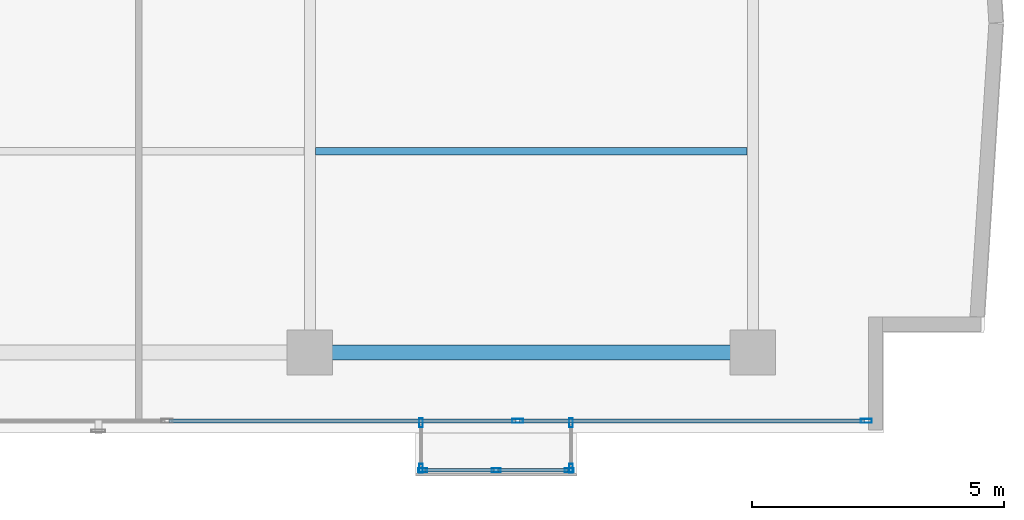
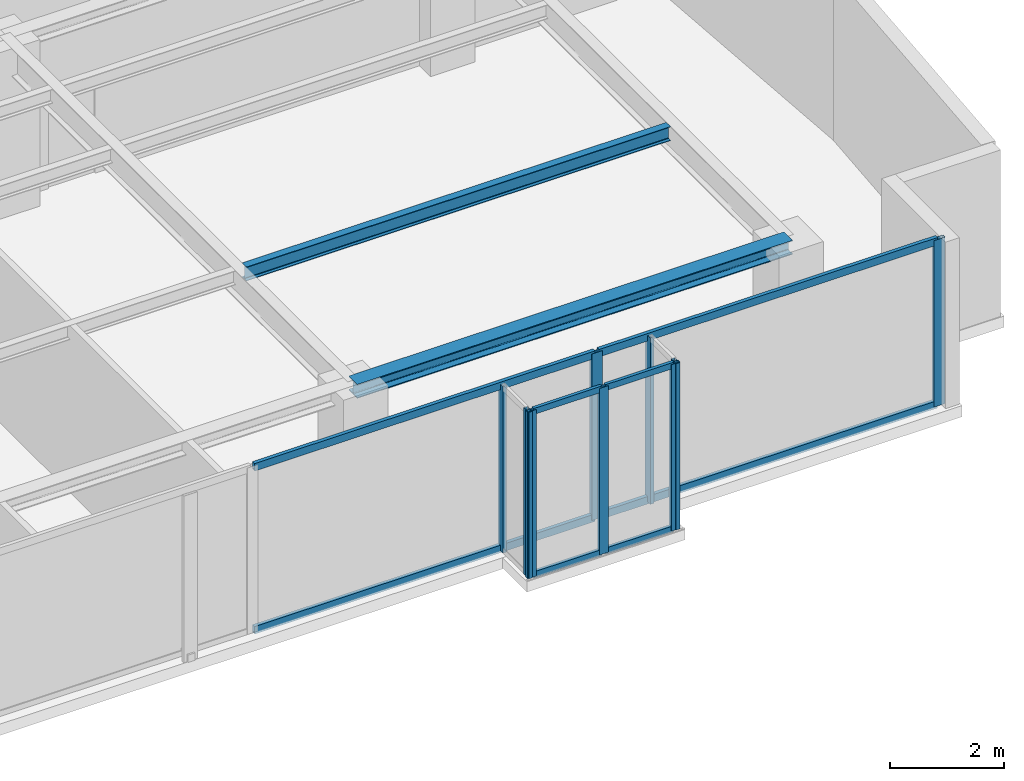
# One storey, part 10 of 23: 17 members, 2 beams, 4 elements without a shape of their own.
"""IFC4 building model written with IfcOpenShell, lengths in metres."""

import ifcopenshell
import ifcopenshell.guid

model = None  # the IFC model being written
_history = None  # IfcOwnerHistory: only IFC2X3 demands one
_inside = {}  # id of a spatial element -> (the spatial element, [elements in it])
_under = {}  # id of a project, library or spatial element -> (it, [spatial elements below it])
_declared = {}  # id of a project -> (the project, [libraries it declares])
_typed = {}  # id of a type object -> (the type object, [elements of that type])
_made_of = {}  # id of a material, layer set ... -> (it, [elements and type objects made of it])


def new_model(schema):
    """Start an empty IFC model of exactly this schema.

    Asked for "IFC4X3", IfcOpenShell would pick the latest addendum, in which some entities
    have other attributes; the version numbers below select the first issue.
    IFC2X3 requires an IfcOwnerHistory on every rooted entity: one is made here for all.
    """
    global model, _history
    if schema == "IFC4X3":
        model = ifcopenshell.file(schema_version=(4, 3, 0, 0))
    else:
        model = ifcopenshell.file(schema=schema)
    _inside.clear()
    _under.clear()
    _declared.clear()
    _typed.clear()
    _made_of.clear()
    _history = None
    if model.schema == "IFC2X3":
        org = make("IfcOrganization", Name="unknown")
        user = make(
            "IfcPersonAndOrganization",
            ThePerson=make("IfcPerson", FamilyName="unknown"),
            TheOrganization=org,
        )
        app = make(
            "IfcApplication",
            ApplicationDeveloper=org,
            Version="unknown",
            ApplicationFullName="unknown",
            ApplicationIdentifier="unknown",
        )
        _history = make(
            "IfcOwnerHistory",
            OwningUser=user,
            OwningApplication=app,
            ChangeAction="ADDED",
            CreationDate=0,
        )
    return model


def make(cls, **values):
    """One entity of the class cls with the attributes given. An attribute that is None is left unset."""
    return model.create_entity(
        cls, **{name: value for name, value in values.items() if value is not None}
    )


def rooted(cls, **values):
    """An entity with a GlobalId (a new one), such as an element, a storey or a relation."""
    return make(cls, GlobalId=ifcopenshell.guid.new(), OwnerHistory=_history, **values)


def si_unit(unit_type, name, prefix=None):
    """IfcSIUnit, for example si_unit("LENGTHUNIT", "METRE", prefix="MILLI")."""
    return make("IfcSIUnit", UnitType=unit_type, Prefix=prefix, Name=name)


def assignment(units):
    """IfcUnitAssignment: the units of a project."""
    return None if units is None else make("IfcUnitAssignment", Units=units)


def point(xyz):
    """IfcCartesianPoint."""
    return None if xyz is None else make("IfcCartesianPoint", Coordinates=xyz)


def direction(xyz):
    """IfcDirection."""
    return None if xyz is None else make("IfcDirection", DirectionRatios=xyz)


def frame(location, z_axis=None, x_axis=None):
    """IfcAxis2Placement3D, a coordinate frame: its origin and axes. An axis left out is left unset."""
    return make(
        "IfcAxis2Placement3D",
        Location=point(location),
        Axis=direction(z_axis),
        RefDirection=direction(x_axis),
    )


def frame_2d(location, x_axis=None):
    """IfcAxis2Placement2D, a coordinate frame in the plane: its origin and x axis."""
    return make(
        "IfcAxis2Placement2D", Location=point(location), RefDirection=direction(x_axis)
    )


def origin():
    """The frame at (0, 0, 0) with its axes left unset."""
    return frame((0.0, 0.0, 0.0))


def origin_with_axes():
    """The frame at (0, 0, 0) with the z axis (0, 0, 1) and the x axis (1, 0, 0) written out."""
    return frame((0.0, 0.0, 0.0), z_axis=(0.0, 0.0, 1.0), x_axis=(1.0, 0.0, 0.0))


def origin_2d():
    """The frame at (0, 0) in the plane with its x axis left unset."""
    return frame_2d((0.0, 0.0))


def place(relative_to, where):
    """IfcLocalPlacement: puts the frame where relative to a parent placement (None: the world)."""
    return make(
        "IfcLocalPlacement", PlacementRelTo=relative_to, RelativePlacement=where
    )


def context(
    kind, dimensions, precision=None, world=None, true_north=None, identifier=None
):
    """IfcGeometricRepresentationContext, for example the 3D "Model" context."""
    return make(
        "IfcGeometricRepresentationContext",
        ContextIdentifier=identifier,
        ContextType=kind,
        CoordinateSpaceDimension=dimensions,
        Precision=precision,
        WorldCoordinateSystem=world,
        TrueNorth=true_north,
    )


def subcontext(parent, identifier, kind, view, scale=None):
    """IfcGeometricRepresentationSubContext, for example "Body" below "Model"."""
    return make(
        "IfcGeometricRepresentationSubContext",
        ContextIdentifier=identifier,
        ContextType=kind,
        ParentContext=parent,
        TargetScale=scale,
        TargetView=view,
    )


def project(units=None, contexts=None):
    """IfcProject with its units and contexts."""
    return rooted(
        "IfcProject",
        Name="project",
        RepresentationContexts=contexts,
        UnitsInContext=assignment(units),
    )


def spatial(cls, under=None, at=None, **own):
    """A site, building, storey or space (cls), placed at a placement, below another one or the project."""
    s = rooted(cls, ObjectPlacement=at, **own)
    if under is not None:
        _under.setdefault(under.id(), (under, []))[1].append(s)
    return s


def profile(cls, at=None, kind="AREA", **sizes):
    """A parametric profile (cls). Its sizes go by their IFC names, for example OverallWidth=200.0."""
    return make(cls, ProfileType=kind, Position=at, **sizes)


def hollow_rectangle(**sizes):
    """IfcRectangleHollowProfileDef."""
    return profile("IfcRectangleHollowProfileDef", **sizes)


def i_section(**sizes):
    """IfcIShapeProfileDef."""
    return profile("IfcIShapeProfileDef", **sizes)


def extrude(swept, where, along, depth):
    """IfcExtrudedAreaSolid: the profile swept, set in the frame where, extruded along a direction by depth."""
    return make(
        "IfcExtrudedAreaSolid",
        SweptArea=swept,
        Position=where,
        ExtrudedDirection=direction(along),
        Depth=depth,
    )


def shape(context_of_items, identifier, shape_type, items):
    """IfcShapeRepresentation: the items that make up one representation, for example the "Body"."""
    return make(
        "IfcShapeRepresentation",
        ContextOfItems=context_of_items,
        RepresentationIdentifier=identifier,
        RepresentationType=shape_type,
        Items=items,
    )


def source(mapping_origin, context_of_items, identifier, shape_type, items):
    """IfcRepresentationMap: a shape defined once, which mapped items show again and again."""
    return make(
        "IfcRepresentationMap",
        MappingOrigin=mapping_origin,
        MappedRepresentation=shape(context_of_items, identifier, shape_type, items),
    )


def transform(
    local_origin,
    x_axis=None,
    y_axis=None,
    z_axis=None,
    scale=None,
    scale2=None,
    scale3=None,
    uniform=True,
):
    """IfcCartesianTransformationOperator3D, or its non-uniform kind. x_axis, y_axis, z_axis: its Axis1, 2, 3."""
    if uniform:
        return make(
            "IfcCartesianTransformationOperator3D",
            Axis1=direction(x_axis),
            Axis2=direction(y_axis),
            LocalOrigin=point(local_origin),
            Scale=scale,
            Axis3=direction(z_axis),
        )
    return make(
        "IfcCartesianTransformationOperator3DnonUniform",
        Axis1=direction(x_axis),
        Axis2=direction(y_axis),
        LocalOrigin=point(local_origin),
        Scale=scale,
        Axis3=direction(z_axis),
        Scale2=scale2,
        Scale3=scale3,
    )


def mapped(mapping_source, mapping_target):
    """IfcMappedItem: shows the shape of a source again, moved by a transform."""
    return make(
        "IfcMappedItem", MappingSource=mapping_source, MappingTarget=mapping_target
    )


def material(Name=None, Category=None):
    """IfcMaterial."""
    return make("IfcMaterial", Name=Name, Category=Category)


def layer(
    of_material, thickness, ventilated=None, Name=None, Category=None, Priority=None
):
    """IfcMaterialLayer: one layer of a wall or slab, of a material (None: an air gap)."""
    return make(
        "IfcMaterialLayer",
        Material=of_material,
        LayerThickness=thickness,
        IsVentilated=ventilated,
        Name=Name,
        Category=Category,
        Priority=Priority,
    )


def layer_set(layers, Name=None):
    """IfcMaterialLayerSet."""
    return make("IfcMaterialLayerSet", MaterialLayers=layers, LayerSetName=Name)


def material_profile(
    of_material, cross_section, Name=None, Category=None, Priority=None
):
    """IfcMaterialProfile: a cross section and its material."""
    return make(
        "IfcMaterialProfile",
        Name=Name,
        Material=of_material,
        Profile=cross_section,
        Priority=Priority,
        Category=Category,
    )


def profile_set(profiles, Name=None, composite=None):
    """IfcMaterialProfileSet."""
    return make(
        "IfcMaterialProfileSet",
        Name=Name,
        MaterialProfiles=profiles,
        CompositeProfile=composite,
    )


def made_of(thing, what):
    """Note that an element or type object is made of a material, layer set ...; save() writes the relation."""
    if what is not None:
        _made_of.setdefault(what.id(), (what, []))[1].append(thing)
    return thing


def type_object(cls, material=None, **own):
    """A type object (cls), such as IfcWallType, which elements share."""
    return made_of(rooted(cls, **own), material)


def element(
    cls,
    number,
    at=None,
    inside=None,
    cuts=None,
    type_object=None,
    material=None,
    context=None,
    identifier="Body",
    shape_type=None,
    held_by="IfcProductDefinitionShape",
    body=None,
    shapes=None,
    **own,
):
    """One element of the class cls, such as IfcWall. Its Tag is "e" and its number.

    at: its placement. inside: the storey or other place that contains it. cuts: it is an
    opening in that element (IfcRelVoidsElement). A single representation is given by context,
    identifier, shape_type and body (its items); several are given by shapes. held_by: the class
    of the entity that holds the representations. save() writes the other relations.
    """
    e = rooted(cls, Tag="e%d" % number, ObjectPlacement=at, **own)
    if body is not None:
        shapes = [shape(context, identifier, shape_type, body)]
    if shapes is not None:
        e.Representation = make(held_by, Representations=shapes)
    if inside is not None:
        _inside.setdefault(inside.id(), (inside, []))[1].append(e)
    if cuts is not None:
        rooted(
            "IfcRelVoidsElement", RelatingBuildingElement=cuts, RelatedOpeningElement=e
        )
    if type_object is not None:
        _typed.setdefault(type_object.id(), (type_object, []))[1].append(e)
    return made_of(e, material)


def aggregate(whole, parts):
    """IfcRelAggregates: a whole, such as a stair, and the parts it consists of."""
    return rooted("IfcRelAggregates", RelatingObject=whole, RelatedObjects=parts)


def save(model, path):
    """Write the relations noted so far, then the file.

    IfcRelAggregates (storeys below a building ...), IfcRelContainedInSpatialStructure (elements
    in a storey), IfcRelDefinesByType, IfcRelAssociatesMaterial and IfcRelDeclares: one each for
    every whole, place, type object, material and project.
    """
    for whole, parts in _under.values():
        aggregate(whole, parts)
    for where, things in _inside.values():
        rooted(
            "IfcRelContainedInSpatialStructure",
            RelatedElements=things,
            RelatingStructure=where,
        )
    for kind, things in _typed.values():
        rooted("IfcRelDefinesByType", RelatedObjects=things, RelatingType=kind)
    for what, things in _made_of.values():
        rooted("IfcRelAssociatesMaterial", RelatedObjects=things, RelatingMaterial=what)
    for by, libraries in _declared.values():
        rooted("IfcRelDeclares", RelatingContext=by, RelatedDefinitions=libraries)
    model.write(path)


model = new_model("IFC4")

# Units and contexts
model_context = context("Model", 3, precision=1e-05, world=origin(), true_north=direction((0.0, 1.0)))
body_context = subcontext(model_context, "Body", "Model", "MODEL_VIEW")
ifc_project = project(units=[si_unit("LENGTHUNIT", "METRE"), si_unit("AREAUNIT", "SQUARE_METRE"), si_unit("VOLUMEUNIT", "CUBIC_METRE"), si_unit("PLANEANGLEUNIT", "RADIAN"), si_unit("MASSUNIT", "GRAM", prefix="KILO")], contexts=[model_context])

# Site, building, storey
site_placement = place(None, origin())
site = spatial("IfcSite", under=ifc_project, at=site_placement, CompositionType="ELEMENT")
building_placement = place(site_placement, origin())
building = spatial("IfcBuilding", under=site, at=building_placement, Name="Kolvaren Waterfront Exchange", CompositionType="ELEMENT")
storey_placement = place(building_placement, frame((0.0, 0.0, 304.60009765625)))
storey = spatial("IfcBuildingStorey", under=building, at=storey_placement, Name="L78", CompositionType="ELEMENT", Elevation=304.60009765625)

# Beams
ifc_material_1 = material(Name="Steel S355", Category="steel")
ifc_material_profile_1 = material_profile(ifc_material_1, i_section(OverallWidth=0.300048828125, OverallDepth=0.300048828125, WebThickness=0.010986328125, FlangeThickness=0.01904296875, FilletRadius=0.027099609375, at=origin_2d()), Name="HEB300")
ifc_profile_set_1 = profile_set([ifc_material_profile_1], Name="Steel S355")
beam_type_1 = type_object("IfcBeamType", Name="STR-BM-HEB300", PredefinedType="SPANDREL", material=ifc_profile_set_1)
beam_1_placement = place(storey_placement, frame((36.800048828125, 5.199951171875, 3.409912109375), z_axis=(1.0, 0.0, 0.0), x_axis=(0.0, 1.0, 0.0)))
element("IfcBeam", 1, at=beam_1_placement, inside=storey, type_object=beam_type_1, Name="L78 east-arm spandrel S3", PredefinedType="SPANDREL", context=body_context, shape_type="SweptSolid", body=[
    extrude(i_section(OverallWidth=0.300048828125, OverallDepth=0.300048828125, WebThickness=0.010986328125, FlangeThickness=0.01904296875, FilletRadius=0.027099609375, at=origin_2d()), origin(), (0.0, 0.0, 1.0), 8.800048828125),
])
ifc_material_profile_2 = material_profile(ifc_material_1, i_section(OverallWidth=0.14990234375, OverallDepth=0.300048828125, WebThickness=0.007080078125, FlangeThickness=0.0107421875, FilletRadius=0.014892578125, at=origin_2d()), Name="IPE300")
ifc_profile_set_2 = profile_set([ifc_material_profile_2], Name="Steel S355")
beam_type_2 = type_object("IfcBeamType", Name="STR-BM-IPE300", PredefinedType="JOIST", material=ifc_profile_set_2)
beam_2_placement = place(storey_placement, frame((36.912109375, 9.199951171875, 3.409912109375), z_axis=(1.0, 0.0, 0.0), x_axis=(0.0, 1.0, 0.0)))
element("IfcBeam", 2, at=beam_2_placement, inside=storey, type_object=beam_type_2, Name="L78 east-arm composite joist 3B", PredefinedType="JOIST", context=body_context, shape_type="SweptSolid", body=[
    extrude(i_section(OverallWidth=0.14990234375, OverallDepth=0.300048828125, WebThickness=0.007080078125, FlangeThickness=0.0107421875, FilletRadius=0.014892578125, at=origin_2d()), origin(), (0.0, 0.0, 1.0), 8.575927734375),
])

# Curtain wall, members
ifc_material_2 = material(Name="Anodised bronze aluminium 6063-T6", Category="aluminium")
ifc_layer_1 = layer(ifc_material_2, 0.219970703125, Name="Anodised bronze aluminium 6063-T6")
ifc_layer_set_1 = layer_set([ifc_layer_1], Name="Anodised bronze aluminium 6063-T6")
curtain_wall_type_1 = type_object("IfcCurtainWallType", Name="ARC-CW-SYS3", PredefinedType="USERDEFINED", material=ifc_layer_set_1)
curtain_wall_1_placement = place(storey_placement, origin())
curtain_wall_1 = element("IfcCurtainWall", 3, at=curtain_wall_1_placement, inside=storey, type_object=curtain_wall_type_1, Name="L78 stick curtain wall CW3 (CW-L78-BOX)", ObjectType="STICK CURTAIN WALL", PredefinedType="USERDEFINED")
ifc_material_profile_3 = material_profile(ifc_material_2, hollow_rectangle(XDim=0.06494140625, YDim=0.1298828125, WallThickness=0.00390625, at=origin_2d()), Name="ALU-TRN-130x65x4")
ifc_profile_set_3 = profile_set([ifc_material_profile_3], Name="Anodised bronze aluminium 6063-T6")
member_type_1 = type_object("IfcMemberType", Name="ARC-CWT-130", PredefinedType="USERDEFINED", material=ifc_profile_set_3)
shared_shape_1 = source(origin_with_axes(), body_context, "Body", "SweptSolid", [
    extrude(hollow_rectangle(XDim=0.06494140625, YDim=0.1298828125, WallThickness=0.00390625, at=origin_2d()), origin(), (0.0, 0.0, 1.0), 1.37744140625),
])
member_1_placement = place(storey_placement, frame((39.0849609375, 2.860107421875, 0.032470703125), z_axis=(1.0, 0.0, 0.0), x_axis=(0.0, 1.0, 0.0)))
member_1 = element("IfcMember", 4, at=member_1_placement, type_object=member_type_1, Name="CW3 transom 1.1", ObjectType="TRANSOM", PredefinedType="USERDEFINED", context=body_context, shape_type="MappedRepresentation", body=[
    mapped(shared_shape_1, transform((0.0, 0.0, 0.0), x_axis=(1.0, 0.0, 0.0), y_axis=(0.0, 1.0, 0.0), z_axis=(0.0, 0.0, 1.0), scale=1.0)),
])
member_2_placement = place(storey_placement, frame((39.0849609375, 2.860107421875, 3.52734375), z_axis=(1.0, 0.0, 0.0), x_axis=(0.0, 1.0, 0.0)))
member_2 = element("IfcMember", 5, at=member_2_placement, type_object=member_type_1, Name="CW3 transom 1.2", ObjectType="TRANSOM", PredefinedType="USERDEFINED", context=body_context, shape_type="MappedRepresentation", body=[
    mapped(shared_shape_1, transform((0.0, 0.0, 0.0), x_axis=(1.0, 0.0, 0.0), y_axis=(0.0, 1.0, 0.0), z_axis=(0.0, 0.0, 1.0), scale=1.0)),
])
member_3_placement = place(storey_placement, frame((40.53759765625, 2.860107421875, 0.032470703125), z_axis=(1.0, 0.0, 0.0), x_axis=(0.0, 1.0, 0.0)))
member_3 = element("IfcMember", 6, at=member_3_placement, type_object=member_type_1, Name="CW3 transom 2.1", ObjectType="TRANSOM", PredefinedType="USERDEFINED", context=body_context, shape_type="MappedRepresentation", body=[
    mapped(shared_shape_1, transform((0.0, 0.0, 0.0), x_axis=(1.0, 0.0, 0.0), y_axis=(0.0, 1.0, 0.0), z_axis=(0.0, 0.0, 1.0), scale=1.0)),
])
member_4_placement = place(storey_placement, frame((40.53759765625, 2.860107421875, 3.52734375), z_axis=(1.0, 0.0, 0.0), x_axis=(0.0, 1.0, 0.0)))
member_4 = element("IfcMember", 7, at=member_4_placement, type_object=member_type_1, Name="CW3 transom 2.2", ObjectType="TRANSOM", PredefinedType="USERDEFINED", context=body_context, shape_type="MappedRepresentation", body=[
    mapped(shared_shape_1, transform((0.0, 0.0, 0.0), x_axis=(1.0, 0.0, 0.0), y_axis=(0.0, 1.0, 0.0), z_axis=(0.0, 0.0, 1.0), scale=1.0)),
])

curtain_wall_2_placement = place(storey_placement, origin())
curtain_wall_2 = element("IfcCurtainWall", 8, at=curtain_wall_2_placement, inside=storey, type_object=curtain_wall_type_1, Name="L78 stick curtain wall CW3 (CW-L78-BOX-W)", ObjectType="STICK CURTAIN WALL", PredefinedType="USERDEFINED")
ifc_material_profile_4 = material_profile(ifc_material_2, hollow_rectangle(XDim=0.074951171875, YDim=0.179931640625, WallThickness=0.00439453125, at=origin_2d()), Name="ALU-MUL-180x75x4.5")
ifc_profile_set_4 = profile_set([ifc_material_profile_4], Name="Anodised bronze aluminium 6063-T6")
member_type_2 = type_object("IfcMemberType", Name="ARC-CWM-180", PredefinedType="MULLION", material=ifc_profile_set_4)
shared_shape_2 = source(origin_with_axes(), body_context, "Body", "SweptSolid", [
    extrude(hollow_rectangle(XDim=0.074951171875, YDim=0.179931640625, WallThickness=0.00439453125, at=origin_2d()), origin(), (0.0, 0.0, 1.0), 3.559814453125),
])
member_5_placement = place(storey_placement, frame((39.010009765625, 3.802490234375, 0.0), z_axis=(0.0, 0.0, 1.0), x_axis=(1.0, 0.0, 0.0)))
member_5 = element("IfcMember", 9, at=member_5_placement, type_object=member_type_2, Name="CW3 mullion 1", PredefinedType="MULLION", context=body_context, shape_type="MappedRepresentation", body=[
    mapped(shared_shape_2, transform((0.0, 0.0, 0.0), x_axis=(1.0, 0.0, 0.0), y_axis=(0.0, 1.0, 0.0), z_axis=(0.0, 0.0, 1.0), scale=1.0)),
])
member_6_placement = place(storey_placement, frame((39.010009765625, 2.8974609375, 0.0), z_axis=(0.0, 0.0, 1.0), x_axis=(1.0, 0.0, 0.0)))
member_6 = element("IfcMember", 10, at=member_6_placement, type_object=member_type_2, Name="CW3 mullion 2", PredefinedType="MULLION", context=body_context, shape_type="MappedRepresentation", body=[
    mapped(shared_shape_2, transform((0.0, 0.0, 0.0), x_axis=(1.0, 0.0, 0.0), y_axis=(0.0, 1.0, 0.0), z_axis=(0.0, 0.0, 1.0), scale=1.0)),
])
aggregate(curtain_wall_2, [member_5, member_6])

# Member
member_7_placement = place(storey_placement, frame((39.047607421875, 2.860107421875, 0.0), z_axis=(0.0, 0.0, 1.0), x_axis=(0.0, 1.0, 0.0)))
member_7 = element("IfcMember", 11, at=member_7_placement, type_object=member_type_2, Name="CW3 mullion 1", PredefinedType="MULLION", context=body_context, shape_type="MappedRepresentation", body=[
    mapped(shared_shape_2, transform((0.0, 0.0, 0.0), x_axis=(1.0, 0.0, 0.0), y_axis=(0.0, 1.0, 0.0), z_axis=(0.0, 0.0, 1.0), scale=1.0)),
])

member_8_placement = place(storey_placement, frame((40.5, 2.860107421875, 0.0), z_axis=(0.0, 0.0, 1.0), x_axis=(0.0, 1.0, 0.0)))
member_8 = element("IfcMember", 12, at=member_8_placement, type_object=member_type_2, Name="CW3 mullion 2", PredefinedType="MULLION", context=body_context, shape_type="MappedRepresentation", body=[
    mapped(shared_shape_2, transform((0.0, 0.0, 0.0), x_axis=(1.0, 0.0, 0.0), y_axis=(0.0, 1.0, 0.0), z_axis=(0.0, 0.0, 1.0), scale=1.0)),
])

member_9_placement = place(storey_placement, frame((41.952392578125, 2.860107421875, 0.0), z_axis=(0.0, 0.0, 1.0), x_axis=(0.0, 1.0, 0.0)))
member_9 = element("IfcMember", 13, at=member_9_placement, type_object=member_type_2, Name="CW3 mullion 3", PredefinedType="MULLION", context=body_context, shape_type="MappedRepresentation", body=[
    mapped(shared_shape_2, transform((0.0, 0.0, 0.0), x_axis=(1.0, 0.0, 0.0), y_axis=(0.0, 1.0, 0.0), z_axis=(0.0, 0.0, 1.0), scale=1.0)),
])

aggregate(curtain_wall_1, [member_7, member_8, member_9, member_1, member_2, member_3, member_4])

# Curtain wall, members
curtain_wall_3_placement = place(storey_placement, origin())
curtain_wall_3 = element("IfcCurtainWall", 14, at=curtain_wall_3_placement, inside=storey, type_object=curtain_wall_type_1, Name="L78 stick curtain wall CW3 (CW-L78-BOX-E)", ObjectType="STICK CURTAIN WALL", PredefinedType="USERDEFINED")
member_10_placement = place(storey_placement, frame((41.989990234375, 2.8974609375, 0.0), z_axis=(0.0, 0.0, 1.0), x_axis=(-1.0, 0.0, 0.0)))
member_10 = element("IfcMember", 15, at=member_10_placement, type_object=member_type_2, Name="CW3 mullion 1", PredefinedType="MULLION", context=body_context, shape_type="MappedRepresentation", body=[
    mapped(shared_shape_2, transform((0.0, 0.0, 0.0), x_axis=(1.0, 0.0, 0.0), y_axis=(0.0, 1.0, 0.0), z_axis=(0.0, 0.0, 1.0), scale=1.0)),
])
member_11_placement = place(storey_placement, frame((41.989990234375, 3.802490234375, 0.0), z_axis=(0.0, 0.0, 1.0), x_axis=(-1.0, 0.0, 0.0)))
member_11 = element("IfcMember", 16, at=member_11_placement, type_object=member_type_2, Name="CW3 mullion 2", PredefinedType="MULLION", context=body_context, shape_type="MappedRepresentation", body=[
    mapped(shared_shape_2, transform((0.0, 0.0, 0.0), x_axis=(1.0, 0.0, 0.0), y_axis=(0.0, 1.0, 0.0), z_axis=(0.0, 0.0, 1.0), scale=1.0)),
])
aggregate(curtain_wall_3, [member_10, member_11])

ifc_layer_2 = layer(ifc_material_2, 0.219970703125, Name="Anodised bronze aluminium 6063-T6")
ifc_layer_set_2 = layer_set([ifc_layer_2], Name="Anodised bronze aluminium 6063-T6")
curtain_wall_type_2 = type_object("IfcCurtainWallType", Name="ARC-CW-SYS1", PredefinedType="USERDEFINED", material=ifc_layer_set_2)
curtain_wall_4_placement = place(storey_placement, origin())
curtain_wall_4 = element("IfcCurtainWall", 17, at=curtain_wall_4_placement, inside=storey, type_object=curtain_wall_type_2, Name="L78 stick curtain wall CW1 (CW-L78-S)", ObjectType="STICK CURTAIN WALL", PredefinedType="USERDEFINED")
ifc_material_3 = material(Name="Anodised aluminium 6063-T6", Category="aluminium")
ifc_material_profile_5 = material_profile(ifc_material_3, hollow_rectangle(XDim=0.080078125, YDim=0.219970703125, WallThickness=0.0048828125, at=origin_2d()), Name="ALU-MUL-220x80x5")
ifc_profile_set_5 = profile_set([ifc_material_profile_5], Name="Anodised aluminium 6063-T6")
member_type_3 = type_object("IfcMemberType", Name="ARC-CWM-220", PredefinedType="MULLION", material=ifc_profile_set_5)
shared_shape_3 = source(origin_with_axes(), body_context, "Body", "SweptSolid", [
    extrude(hollow_rectangle(XDim=0.080078125, YDim=0.219970703125, WallThickness=0.0048828125, at=origin_2d()), origin(), (0.0, 0.0, 1.0), 3.559814453125),
])
member_12_placement = place(storey_placement, frame((40.928955078125, 3.840087890625, 0.0), z_axis=(0.0, 0.0, 1.0), x_axis=(0.0, 1.0, 0.0)))
member_12 = element("IfcMember", 18, at=member_12_placement, type_object=member_type_3, Name="CW1 mullion 6", PredefinedType="MULLION", context=body_context, shape_type="MappedRepresentation", body=[
    mapped(shared_shape_3, transform((0.0, 0.0, 0.0), x_axis=(1.0, 0.0, 0.0), y_axis=(0.0, 1.0, 0.0), z_axis=(0.0, 0.0, 1.0), scale=1.0)),
])
member_13_placement = place(storey_placement, frame((47.854736328125, 3.840087890625, 0.0), z_axis=(0.0, 0.0, 1.0), x_axis=(0.0, 1.0, 0.0)))
member_13 = element("IfcMember", 19, at=member_13_placement, type_object=member_type_3, Name="CW1 mullion 7", PredefinedType="MULLION", context=body_context, shape_type="MappedRepresentation", body=[
    mapped(shared_shape_3, transform((0.0, 0.0, 0.0), x_axis=(1.0, 0.0, 0.0), y_axis=(0.0, 1.0, 0.0), z_axis=(0.0, 0.0, 1.0), scale=1.0)),
])
ifc_material_profile_6 = material_profile(ifc_material_3, hollow_rectangle(XDim=0.074951171875, YDim=0.159912109375, WallThickness=0.00439453125, at=origin_2d()), Name="ALU-TRN-160x75x4.5")
ifc_profile_set_6 = profile_set([ifc_material_profile_6], Name="Anodised aluminium 6063-T6")
member_type_4 = type_object("IfcMemberType", Name="ARC-CWT-160", PredefinedType="USERDEFINED", material=ifc_profile_set_6)
shared_shape_4 = source(origin_with_axes(), body_context, "Body", "SweptSolid", [
    extrude(hollow_rectangle(XDim=0.074951171875, YDim=0.159912109375, WallThickness=0.00439453125, at=origin_2d()), origin(), (0.0, 0.0, 1.0), 6.8857421875),
])
member_14_placement = place(storey_placement, frame((34.003173828125, 3.840087890625, 0.037353515625), z_axis=(1.0, 0.0, 0.0), x_axis=(0.0, 1.0, 0.0)))
member_14 = element("IfcMember", 20, at=member_14_placement, type_object=member_type_4, Name="CW1 transom 5.1", ObjectType="TRANSOM", PredefinedType="USERDEFINED", context=body_context, shape_type="MappedRepresentation", body=[
    mapped(shared_shape_4, transform((0.0, 0.0, 0.0), x_axis=(1.0, 0.0, 0.0), y_axis=(0.0, 1.0, 0.0), z_axis=(0.0, 0.0, 1.0), scale=1.0)),
])
member_15_placement = place(storey_placement, frame((34.003173828125, 3.840087890625, 3.5224609375), z_axis=(1.0, 0.0, 0.0), x_axis=(0.0, 1.0, 0.0)))
member_15 = element("IfcMember", 21, at=member_15_placement, type_object=member_type_4, Name="CW1 transom 5.2", ObjectType="TRANSOM", PredefinedType="USERDEFINED", context=body_context, shape_type="MappedRepresentation", body=[
    mapped(shared_shape_4, transform((0.0, 0.0, 0.0), x_axis=(1.0, 0.0, 0.0), y_axis=(0.0, 1.0, 0.0), z_axis=(0.0, 0.0, 1.0), scale=1.0)),
])
shared_shape_5 = source(origin_with_axes(), body_context, "Body", "SweptSolid", [
    extrude(hollow_rectangle(XDim=0.074951171875, YDim=0.159912109375, WallThickness=0.00439453125, at=origin_2d()), origin(), (0.0, 0.0, 1.0), 6.845703125),
])
member_16_placement = place(storey_placement, frame((40.968994140625, 3.840087890625, 0.037353515625), z_axis=(1.0, 0.0, 0.0), x_axis=(0.0, 1.0, 0.0)))
member_16 = element("IfcMember", 22, at=member_16_placement, type_object=member_type_4, Name="CW1 transom 6.1", ObjectType="TRANSOM", PredefinedType="USERDEFINED", context=body_context, shape_type="MappedRepresentation", body=[
    mapped(shared_shape_5, transform((0.0, 0.0, 0.0), x_axis=(1.0, 0.0, 0.0), y_axis=(0.0, 1.0, 0.0), z_axis=(0.0, 0.0, 1.0), scale=1.0)),
])
member_17_placement = place(storey_placement, frame((40.968994140625, 3.840087890625, 3.5224609375), z_axis=(1.0, 0.0, 0.0), x_axis=(0.0, 1.0, 0.0)))
member_17 = element("IfcMember", 23, at=member_17_placement, type_object=member_type_4, Name="CW1 transom 6.2", ObjectType="TRANSOM", PredefinedType="USERDEFINED", context=body_context, shape_type="MappedRepresentation", body=[
    mapped(shared_shape_5, transform((0.0, 0.0, 0.0), x_axis=(1.0, 0.0, 0.0), y_axis=(0.0, 1.0, 0.0), z_axis=(0.0, 0.0, 1.0), scale=1.0)),
])
aggregate(curtain_wall_4, [member_12, member_13, member_14, member_15, member_16, member_17])

save(model, "model.ifc")
